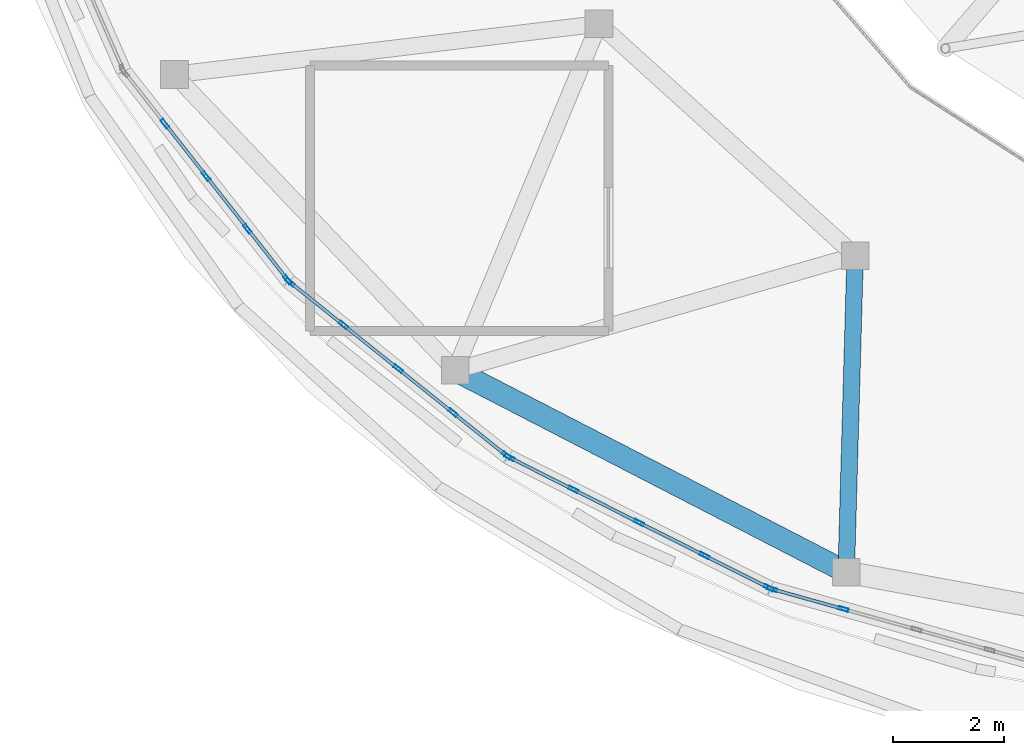
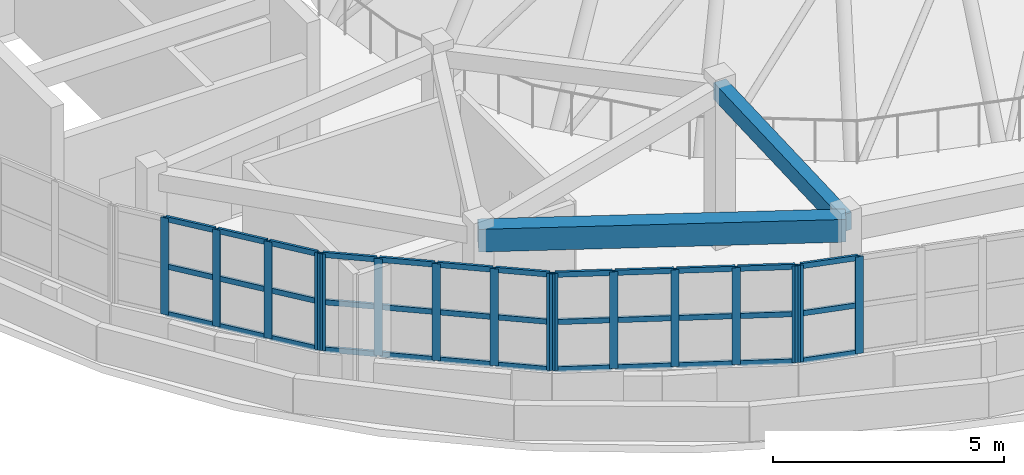
# One storey, part 2 of 38: 52 members, 2 beams, 4 elements without a shape of their own.
"""IFC4 building model written with IfcOpenShell, lengths in metres."""

from ifc_helpers import new_model, si_unit, direction, frame, origin, origin_2d, place, context, subcontext, project, spatial, rectangle, hollow_rectangle, extrude, material, layer, layer_set, material_profile, profile_set, type_object, element, aggregate, save


model = new_model("IFC4")

# Units and contexts
model_context = context("Model", 3, precision=1e-05, world=origin(), true_north=direction((0.0, 1.0)))
body_context = subcontext(model_context, "Body", "Model", "MODEL_VIEW")
ifc_project = project(units=[si_unit("LENGTHUNIT", "METRE"), si_unit("AREAUNIT", "SQUARE_METRE"), si_unit("VOLUMEUNIT", "CUBIC_METRE"), si_unit("PLANEANGLEUNIT", "RADIAN"), si_unit("MASSUNIT", "GRAM", prefix="KILO")], contexts=[model_context])

# Site, building, storey
site_placement = place(None, origin())
site = spatial("IfcSite", under=ifc_project, at=site_placement, CompositionType="ELEMENT")
building_placement = place(site_placement, origin())
building = spatial("IfcBuilding", under=site, at=building_placement, Name="Pelvatis Terrace Science Centre", CompositionType="ELEMENT")
storey_placement = place(building_placement, frame((0.0, 0.0, 24.300048828125)))
storey = spatial("IfcBuildingStorey", under=building, at=storey_placement, Name="L05", CompositionType="ELEMENT", Elevation=24.300048828125)

# Beams
ifc_material_1 = material(Name="Concrete C35/45", Category="concrete")
ifc_material_profile_1 = material_profile(ifc_material_1, rectangle(XDim=0.300048828125, YDim=0.449951171875, at=origin_2d()), Name="RC-BM 300x450")
ifc_profile_set_1 = profile_set([ifc_material_profile_1], Name="Concrete C35/45")
beam_type_1 = type_object("IfcBeamType", Name="BM-RC-300x450", PredefinedType="BEAM", material=ifc_profile_set_1)
beam_1_placement = place(storey_placement, frame((99.705078125, 67.434326171875, 4.034912109375), z_axis=(0.028165640532, 0.999603269649, 0.0), x_axis=(-0.999603269649, 0.028165640532, 0.0)))
element("IfcBeam", 1, at=beam_1_placement, inside=storey, type_object=beam_type_1, Name="Beam BM-L05-3137", PredefinedType="BEAM", context=body_context, shape_type="SweptSolid", body=[
    extrude(rectangle(XDim=0.300048828125, YDim=0.449951171875, at=origin_2d()), origin(), (0.0, 0.0, 1.0), 5.7294921875),
])
ifc_material_2 = material(Name="Concrete C35/45", Category="concrete")
ifc_material_profile_2 = material_profile(ifc_material_2, rectangle(XDim=0.39990234375, YDim=0.60009765625, at=origin_2d()), Name="RC-BM 400x600")
ifc_profile_set_2 = profile_set([ifc_material_profile_2], Name="Concrete C35/45")
beam_type_2 = type_object("IfcBeamType", Name="BM-RC-400x600", PredefinedType="BEAM", material=ifc_profile_set_2)
beam_2_placement = place(storey_placement, frame((92.62744140625, 71.0849609375, 3.9599609375), z_axis=(0.888740331854, -0.458410975585, 0.0), x_axis=(0.458410975585, 0.888740331854, 0.0)))
element("IfcBeam", 2, at=beam_2_placement, inside=storey, type_object=beam_type_2, Name="Beam BM-L05-3133", PredefinedType="BEAM", context=body_context, shape_type="SweptSolid", body=[
    extrude(rectangle(XDim=0.39990234375, YDim=0.60009765625, at=origin_2d()), origin(), (0.0, 0.0, 1.0), 7.963623046875),
])

# Curtain wall, members
ifc_material_3 = material(Name="Bronze-anodised aluminium and laminated glass", Category="aluminium")
ifc_layer = layer(ifc_material_3, 0.179931640625)
ifc_layer_set = layer_set([ifc_layer], Name="Bronze-anodised aluminium and laminated glass")
curtain_wall_type = type_object("IfcCurtainWallType", Name="CW-RIBBON-A", PredefinedType="NOTDEFINED", material=ifc_layer_set)
curtain_wall_1_placement = place(storey_placement, origin())
curtain_wall_1 = element("IfcCurtainWall", 3, at=curtain_wall_1_placement, inside=storey, type_object=curtain_wall_type, Name="Ribbon curtain wall CW-253 (L05)", PredefinedType="NOTDEFINED")
ifc_material_4 = material(Name="Bronze-anodised aluminium 6063-T6", Category="aluminium")
ifc_material_profile_3 = material_profile(ifc_material_4, hollow_rectangle(XDim=0.06005859375, YDim=0.179931640625, WallThickness=0.00390625, at=origin_2d()), Name="ALU-MUL 60x180")
ifc_profile_set_3 = profile_set([ifc_material_profile_3], Name="Bronze-anodised aluminium 6063-T6")
member_type_1 = type_object("IfcMemberType", Name="CWM-60x180", PredefinedType="MULLION", material=ifc_profile_set_3)
member_1_placement = place(storey_placement, frame((87.376708984375, 75.55029296875, 1.02001953125), z_axis=(0.0, 0.0, 1.0), x_axis=(0.786576740286, 0.617492535697, 0.0)))
member_1 = element("IfcMember", 4, at=member_1_placement, type_object=member_type_1, Name="CW-253 mullion 2", PredefinedType="MULLION", context=body_context, shape_type="SweptSolid", body=[
    extrude(hollow_rectangle(XDim=0.06005859375, YDim=0.179931640625, WallThickness=0.00390625, at=origin_2d()), origin(), (0.0, 0.0, 1.0), 2.559814453125),
])
member_2_placement = place(storey_placement, frame((88.122802734375, 74.599853515625, 1.02001953125), z_axis=(0.0, 0.0, 1.0), x_axis=(0.786576740286, 0.617492535697, 0.0)))
member_2 = element("IfcMember", 5, at=member_2_placement, type_object=member_type_1, Name="CW-253 mullion 3", PredefinedType="MULLION", context=body_context, shape_type="SweptSolid", body=[
    extrude(hollow_rectangle(XDim=0.06005859375, YDim=0.179931640625, WallThickness=0.00390625, at=origin_2d()), origin(), (0.0, 0.0, 1.0), 2.559814453125),
])
member_3_placement = place(storey_placement, frame((88.868896484375, 73.6494140625, 1.02001953125), z_axis=(0.0, 0.0, 1.0), x_axis=(0.786576740286, 0.617492535697, 0.0)))
member_3 = element("IfcMember", 6, at=member_3_placement, type_object=member_type_1, Name="CW-253 mullion 4", PredefinedType="MULLION", context=body_context, shape_type="SweptSolid", body=[
    extrude(hollow_rectangle(XDim=0.06005859375, YDim=0.179931640625, WallThickness=0.00390625, at=origin_2d()), origin(), (0.0, 0.0, 1.0), 2.559814453125),
])
member_4_placement = place(storey_placement, frame((89.5966796875, 72.72265625, 1.02001953125), z_axis=(0.0, 0.0, 1.0), x_axis=(0.786576740286, 0.617492535697, 0.0)))
member_4 = element("IfcMember", 7, at=member_4_placement, type_object=member_type_1, Name="CW-253 mullion 5", PredefinedType="MULLION", context=body_context, shape_type="SweptSolid", body=[
    extrude(hollow_rectangle(XDim=0.06005859375, YDim=0.179931640625, WallThickness=0.00390625, at=origin_2d()), origin(), (0.0, 0.0, 1.0), 2.559814453125),
])

curtain_wall_2_placement = place(storey_placement, origin())
curtain_wall_2 = element("IfcCurtainWall", 8, at=curtain_wall_2_placement, inside=storey, type_object=curtain_wall_type, Name="Ribbon curtain wall CW-254 (L05)", PredefinedType="NOTDEFINED")
member_5_placement = place(storey_placement, frame((89.638427734375, 72.68017578125, 1.02001953125), z_axis=(0.0, 0.0, 1.0), x_axis=(0.62487505806, 0.780724767005, 0.0)))
member_5 = element("IfcMember", 9, at=member_5_placement, type_object=member_type_1, Name="CW-254 mullion 1", PredefinedType="MULLION", context=body_context, shape_type="SweptSolid", body=[
    extrude(hollow_rectangle(XDim=0.06005859375, YDim=0.179931640625, WallThickness=0.00390625, at=origin_2d()), origin(), (0.0, 0.0, 1.0), 2.559814453125),
])
member_6_placement = place(storey_placement, frame((90.606689453125, 71.9052734375, 1.02001953125), z_axis=(0.0, 0.0, 1.0), x_axis=(0.62487505806, 0.780724767005, 0.0)))
member_6 = element("IfcMember", 10, at=member_6_placement, type_object=member_type_1, Name="CW-254 mullion 2", PredefinedType="MULLION", context=body_context, shape_type="SweptSolid", body=[
    extrude(hollow_rectangle(XDim=0.06005859375, YDim=0.179931640625, WallThickness=0.00390625, at=origin_2d()), origin(), (0.0, 0.0, 1.0), 2.559814453125),
])
member_7_placement = place(storey_placement, frame((91.598388671875, 71.111572265625, 1.02001953125), z_axis=(0.0, 0.0, 1.0), x_axis=(0.62487505806, 0.780724767005, 0.0)))
member_7 = element("IfcMember", 11, at=member_7_placement, type_object=member_type_1, Name="CW-254 mullion 3", PredefinedType="MULLION", context=body_context, shape_type="SweptSolid", body=[
    extrude(hollow_rectangle(XDim=0.06005859375, YDim=0.179931640625, WallThickness=0.00390625, at=origin_2d()), origin(), (0.0, 0.0, 1.0), 2.559814453125),
])
member_8_placement = place(storey_placement, frame((92.590087890625, 70.31787109375, 1.02001953125), z_axis=(0.0, 0.0, 1.0), x_axis=(0.62487505806, 0.780724767005, 0.0)))
member_8 = element("IfcMember", 12, at=member_8_placement, type_object=member_type_1, Name="CW-254 mullion 4", PredefinedType="MULLION", context=body_context, shape_type="SweptSolid", body=[
    extrude(hollow_rectangle(XDim=0.06005859375, YDim=0.179931640625, WallThickness=0.00390625, at=origin_2d()), origin(), (0.0, 0.0, 1.0), 2.559814453125),
])
member_9_placement = place(storey_placement, frame((93.55810546875, 69.54296875, 1.02001953125), z_axis=(0.0, 0.0, 1.0), x_axis=(0.62487505806, 0.780724767005, 0.0)))
member_9 = element("IfcMember", 13, at=member_9_placement, type_object=member_type_1, Name="CW-254 mullion 5", PredefinedType="MULLION", context=body_context, shape_type="SweptSolid", body=[
    extrude(hollow_rectangle(XDim=0.06005859375, YDim=0.179931640625, WallThickness=0.00390625, at=origin_2d()), origin(), (0.0, 0.0, 1.0), 2.559814453125),
])

curtain_wall_3_placement = place(storey_placement, origin())
curtain_wall_3 = element("IfcCurtainWall", 14, at=curtain_wall_3_placement, inside=storey, type_object=curtain_wall_type, Name="Ribbon curtain wall CW-255 (L05)", PredefinedType="NOTDEFINED")
member_10_placement = place(storey_placement, frame((93.6083984375, 69.5107421875, 1.02001953125), z_axis=(0.0, 0.0, 1.0), x_axis=(0.449303995918, 0.893378933741, 0.0)))
member_10 = element("IfcMember", 15, at=member_10_placement, type_object=member_type_1, Name="CW-255 mullion 1", PredefinedType="MULLION", context=body_context, shape_type="SweptSolid", body=[
    extrude(hollow_rectangle(XDim=0.06005859375, YDim=0.179931640625, WallThickness=0.00390625, at=origin_2d()), origin(), (0.0, 0.0, 1.0), 2.559814453125),
])
member_11_placement = place(storey_placement, frame((94.76904296875, 68.92724609375, 1.02001953125), z_axis=(0.0, 0.0, 1.0), x_axis=(0.449303995918, 0.893378933741, 0.0)))
member_11 = element("IfcMember", 16, at=member_11_placement, type_object=member_type_1, Name="CW-255 mullion 2", PredefinedType="MULLION", context=body_context, shape_type="SweptSolid", body=[
    extrude(hollow_rectangle(XDim=0.06005859375, YDim=0.179931640625, WallThickness=0.00390625, at=origin_2d()), origin(), (0.0, 0.0, 1.0), 2.559814453125),
])
member_12_placement = place(storey_placement, frame((95.956298828125, 68.329833984375, 1.02001953125), z_axis=(0.0, 0.0, 1.0), x_axis=(0.449303995918, 0.893378933741, 0.0)))
member_12 = element("IfcMember", 17, at=member_12_placement, type_object=member_type_1, Name="CW-255 mullion 3", PredefinedType="MULLION", context=body_context, shape_type="SweptSolid", body=[
    extrude(hollow_rectangle(XDim=0.06005859375, YDim=0.179931640625, WallThickness=0.00390625, at=origin_2d()), origin(), (0.0, 0.0, 1.0), 2.559814453125),
])
member_13_placement = place(storey_placement, frame((97.143798828125, 67.732666015625, 1.02001953125), z_axis=(0.0, 0.0, 1.0), x_axis=(0.449303995918, 0.893378933741, 0.0)))
member_13 = element("IfcMember", 18, at=member_13_placement, type_object=member_type_1, Name="CW-255 mullion 4", PredefinedType="MULLION", context=body_context, shape_type="SweptSolid", body=[
    extrude(hollow_rectangle(XDim=0.06005859375, YDim=0.179931640625, WallThickness=0.00390625, at=origin_2d()), origin(), (0.0, 0.0, 1.0), 2.559814453125),
])
member_14_placement = place(storey_placement, frame((98.304443359375, 67.149169921875, 1.02001953125), z_axis=(0.0, 0.0, 1.0), x_axis=(0.449303995918, 0.893378933741, 0.0)))
member_14 = element("IfcMember", 19, at=member_14_placement, type_object=member_type_1, Name="CW-255 mullion 5", PredefinedType="MULLION", context=body_context, shape_type="SweptSolid", body=[
    extrude(hollow_rectangle(XDim=0.06005859375, YDim=0.179931640625, WallThickness=0.00390625, at=origin_2d()), origin(), (0.0, 0.0, 1.0), 2.559814453125),
])

curtain_wall_4_placement = place(storey_placement, origin())
curtain_wall_4 = element("IfcCurtainWall", 20, at=curtain_wall_4_placement, inside=storey, type_object=curtain_wall_type, Name="Ribbon curtain wall CW-256 (L05)", PredefinedType="NOTDEFINED")
member_15_placement = place(storey_placement, frame((98.360107421875, 67.12744140625, 1.02001953125), z_axis=(0.0, 0.0, 1.0), x_axis=(0.269694685663, 0.962945884526, 0.0)))
member_15 = element("IfcMember", 21, at=member_15_placement, type_object=member_type_1, Name="CW-256 mullion 1", PredefinedType="MULLION", context=body_context, shape_type="SweptSolid", body=[
    extrude(hollow_rectangle(XDim=0.06005859375, YDim=0.179931640625, WallThickness=0.00390625, at=origin_2d()), origin(), (0.0, 0.0, 1.0), 2.559814453125),
])
member_16_placement = place(storey_placement, frame((99.65478515625, 66.764892578125, 1.02001953125), z_axis=(0.0, 0.0, 1.0), x_axis=(0.269694685663, 0.962945884526, 0.0)))
member_16 = element("IfcMember", 22, at=member_16_placement, type_object=member_type_1, Name="CW-256 mullion 2", PredefinedType="MULLION", context=body_context, shape_type="SweptSolid", body=[
    extrude(hollow_rectangle(XDim=0.06005859375, YDim=0.179931640625, WallThickness=0.00390625, at=origin_2d()), origin(), (0.0, 0.0, 1.0), 2.559814453125),
])

# Member
ifc_material_5 = material(Name="Bronze-anodised aluminium 6063-T6", Category="aluminium")
ifc_material_profile_4 = material_profile(ifc_material_5, hollow_rectangle(XDim=0.06005859375, YDim=0.139892578125, WallThickness=0.00390625, at=origin_2d()), Name="ALU-TRN 60x140")
ifc_profile_set_4 = profile_set([ifc_material_profile_4], Name="Bronze-anodised aluminium 6063-T6")
member_type_2 = type_object("IfcMemberType", Name="CWT-60x140", PredefinedType="USERDEFINED", material=ifc_profile_set_4)
member_17_placement = place(storey_placement, frame((87.395263671875, 75.526611328125, 1.050048828125), z_axis=(0.617539862862, -0.786539584367, 0.0), x_axis=(0.786539584367, 0.617539862862, 0.0)))
member_17 = element("IfcMember", 23, at=member_17_placement, type_object=member_type_2, Name="CW-253 transom 2.1", ObjectType="TRANSOM", PredefinedType="USERDEFINED", context=body_context, shape_type="SweptSolid", body=[
    extrude(hollow_rectangle(XDim=0.06005859375, YDim=0.139892578125, WallThickness=0.00390625, at=origin_2d()), origin(), (0.0, 0.0, 1.0), 1.1484375),
])

member_18_placement = place(storey_placement, frame((87.395263671875, 75.526611328125, 2.300048828125), z_axis=(0.617539862862, -0.786539584367, 0.0), x_axis=(0.786539584367, 0.617539862862, 0.0)))
member_18 = element("IfcMember", 24, at=member_18_placement, type_object=member_type_2, Name="CW-253 transom 2.2", ObjectType="TRANSOM", PredefinedType="USERDEFINED", context=body_context, shape_type="SweptSolid", body=[
    extrude(hollow_rectangle(XDim=0.06005859375, YDim=0.139892578125, WallThickness=0.00390625, at=origin_2d()), origin(), (0.0, 0.0, 1.0), 1.1484375),
])

member_19_placement = place(storey_placement, frame((87.395263671875, 75.526611328125, 3.550048828125), z_axis=(0.617539862862, -0.786539584367, 0.0), x_axis=(0.786539584367, 0.617539862862, 0.0)))
member_19 = element("IfcMember", 25, at=member_19_placement, type_object=member_type_2, Name="CW-253 transom 2.3", ObjectType="TRANSOM", PredefinedType="USERDEFINED", context=body_context, shape_type="SweptSolid", body=[
    extrude(hollow_rectangle(XDim=0.06005859375, YDim=0.139892578125, WallThickness=0.00390625, at=origin_2d()), origin(), (0.0, 0.0, 1.0), 1.1484375),
])

member_20_placement = place(storey_placement, frame((88.141357421875, 74.576171875, 1.050048828125), z_axis=(0.617643128224, -0.786458496145, 0.0), x_axis=(0.786458496145, 0.617643128224, 0.0)))
member_20 = element("IfcMember", 26, at=member_20_placement, type_object=member_type_2, Name="CW-253 transom 3.1", ObjectType="TRANSOM", PredefinedType="USERDEFINED", context=body_context, shape_type="SweptSolid", body=[
    extrude(hollow_rectangle(XDim=0.06005859375, YDim=0.139892578125, WallThickness=0.00390625, at=origin_2d()), origin(), (0.0, 0.0, 1.0), 1.148193359375),
])

member_21_placement = place(storey_placement, frame((88.141357421875, 74.576171875, 2.300048828125), z_axis=(0.617643128224, -0.786458496145, 0.0), x_axis=(0.786458496145, 0.617643128224, 0.0)))
member_21 = element("IfcMember", 27, at=member_21_placement, type_object=member_type_2, Name="CW-253 transom 3.2", ObjectType="TRANSOM", PredefinedType="USERDEFINED", context=body_context, shape_type="SweptSolid", body=[
    extrude(hollow_rectangle(XDim=0.06005859375, YDim=0.139892578125, WallThickness=0.00390625, at=origin_2d()), origin(), (0.0, 0.0, 1.0), 1.148193359375),
])

member_22_placement = place(storey_placement, frame((88.141357421875, 74.576171875, 3.550048828125), z_axis=(0.617643128224, -0.786458496145, 0.0), x_axis=(0.786458496145, 0.617643128224, 0.0)))
member_22 = element("IfcMember", 28, at=member_22_placement, type_object=member_type_2, Name="CW-253 transom 3.3", ObjectType="TRANSOM", PredefinedType="USERDEFINED", context=body_context, shape_type="SweptSolid", body=[
    extrude(hollow_rectangle(XDim=0.06005859375, YDim=0.139892578125, WallThickness=0.00390625, at=origin_2d()), origin(), (0.0, 0.0, 1.0), 1.148193359375),
])

member_23_placement = place(storey_placement, frame((88.887451171875, 73.625732421875, 1.050048828125), z_axis=(0.617561214822, -0.786522819725, 0.0), x_axis=(0.786522819725, 0.617561214822, 0.0)))
member_23 = element("IfcMember", 29, at=member_23_placement, type_object=member_type_2, Name="CW-253 transom 4.1", ObjectType="TRANSOM", PredefinedType="USERDEFINED", context=body_context, shape_type="SweptSolid", body=[
    extrude(hollow_rectangle(XDim=0.06005859375, YDim=0.139892578125, WallThickness=0.00390625, at=origin_2d()), origin(), (0.0, 0.0, 1.0), 1.118408203125),
])

member_24_placement = place(storey_placement, frame((88.887451171875, 73.625732421875, 2.300048828125), z_axis=(0.617561214822, -0.786522819725, 0.0), x_axis=(0.786522819725, 0.617561214822, 0.0)))
member_24 = element("IfcMember", 30, at=member_24_placement, type_object=member_type_2, Name="CW-253 transom 4.2", ObjectType="TRANSOM", PredefinedType="USERDEFINED", context=body_context, shape_type="SweptSolid", body=[
    extrude(hollow_rectangle(XDim=0.06005859375, YDim=0.139892578125, WallThickness=0.00390625, at=origin_2d()), origin(), (0.0, 0.0, 1.0), 1.118408203125),
])

member_25_placement = place(storey_placement, frame((88.887451171875, 73.625732421875, 3.550048828125), z_axis=(0.617561214822, -0.786522819725, 0.0), x_axis=(0.786522819725, 0.617561214822, 0.0)))
member_25 = element("IfcMember", 31, at=member_25_placement, type_object=member_type_2, Name="CW-253 transom 4.3", ObjectType="TRANSOM", PredefinedType="USERDEFINED", context=body_context, shape_type="SweptSolid", body=[
    extrude(hollow_rectangle(XDim=0.06005859375, YDim=0.139892578125, WallThickness=0.00390625, at=origin_2d()), origin(), (0.0, 0.0, 1.0), 1.118408203125),
])

aggregate(curtain_wall_1, [member_1, member_2, member_3, member_4, member_17, member_18, member_19, member_20, member_21, member_22, member_23, member_24, member_25])

member_26_placement = place(storey_placement, frame((89.661865234375, 72.66162109375, 1.050048828125), z_axis=(0.780687143847, -0.624922061887, 0.0), x_axis=(0.624922061887, 0.780687143847, 0.0)))
member_26 = element("IfcMember", 32, at=member_26_placement, type_object=member_type_2, Name="CW-254 transom 1.1", ObjectType="TRANSOM", PredefinedType="USERDEFINED", context=body_context, shape_type="SweptSolid", body=[
    extrude(hollow_rectangle(XDim=0.06005859375, YDim=0.139892578125, WallThickness=0.00390625, at=origin_2d()), origin(), (0.0, 0.0, 1.0), 1.18017578125),
])

member_27_placement = place(storey_placement, frame((89.661865234375, 72.66162109375, 2.300048828125), z_axis=(0.780687143847, -0.624922061887, 0.0), x_axis=(0.624922061887, 0.780687143847, 0.0)))
member_27 = element("IfcMember", 33, at=member_27_placement, type_object=member_type_2, Name="CW-254 transom 1.2", ObjectType="TRANSOM", PredefinedType="USERDEFINED", context=body_context, shape_type="SweptSolid", body=[
    extrude(hollow_rectangle(XDim=0.06005859375, YDim=0.139892578125, WallThickness=0.00390625, at=origin_2d()), origin(), (0.0, 0.0, 1.0), 1.18017578125),
])

member_28_placement = place(storey_placement, frame((89.661865234375, 72.66162109375, 3.550048828125), z_axis=(0.780687143847, -0.624922061887, 0.0), x_axis=(0.624922061887, 0.780687143847, 0.0)))
member_28 = element("IfcMember", 34, at=member_28_placement, type_object=member_type_2, Name="CW-254 transom 1.3", ObjectType="TRANSOM", PredefinedType="USERDEFINED", context=body_context, shape_type="SweptSolid", body=[
    extrude(hollow_rectangle(XDim=0.06005859375, YDim=0.139892578125, WallThickness=0.00390625, at=origin_2d()), origin(), (0.0, 0.0, 1.0), 1.18017578125),
])

member_29_placement = place(storey_placement, frame((90.630126953125, 71.886474609375, 1.050048828125), z_axis=(0.780770385385, -0.624818057762, 0.0), x_axis=(0.624818057762, 0.780770385385, 0.0)))
member_29 = element("IfcMember", 35, at=member_29_placement, type_object=member_type_2, Name="CW-254 transom 2.1", ObjectType="TRANSOM", PredefinedType="USERDEFINED", context=body_context, shape_type="SweptSolid", body=[
    extrude(hollow_rectangle(XDim=0.06005859375, YDim=0.139892578125, WallThickness=0.00390625, at=origin_2d()), origin(), (0.0, 0.0, 1.0), 1.210205078125),
])

member_30_placement = place(storey_placement, frame((90.630126953125, 71.886474609375, 2.300048828125), z_axis=(0.780770385385, -0.624818057762, 0.0), x_axis=(0.624818057762, 0.780770385385, 0.0)))
member_30 = element("IfcMember", 36, at=member_30_placement, type_object=member_type_2, Name="CW-254 transom 2.2", ObjectType="TRANSOM", PredefinedType="USERDEFINED", context=body_context, shape_type="SweptSolid", body=[
    extrude(hollow_rectangle(XDim=0.06005859375, YDim=0.139892578125, WallThickness=0.00390625, at=origin_2d()), origin(), (0.0, 0.0, 1.0), 1.210205078125),
])

member_31_placement = place(storey_placement, frame((90.630126953125, 71.886474609375, 3.550048828125), z_axis=(0.780770385385, -0.624818057762, 0.0), x_axis=(0.624818057762, 0.780770385385, 0.0)))
member_31 = element("IfcMember", 37, at=member_31_placement, type_object=member_type_2, Name="CW-254 transom 2.3", ObjectType="TRANSOM", PredefinedType="USERDEFINED", context=body_context, shape_type="SweptSolid", body=[
    extrude(hollow_rectangle(XDim=0.06005859375, YDim=0.139892578125, WallThickness=0.00390625, at=origin_2d()), origin(), (0.0, 0.0, 1.0), 1.210205078125),
])

member_32_placement = place(storey_placement, frame((91.621826171875, 71.093017578125, 1.050048828125), z_axis=(0.780671966768, -0.624941021459, 0.0), x_axis=(0.624941021459, 0.780671966768, 0.0)))
member_32 = element("IfcMember", 38, at=member_32_placement, type_object=member_type_2, Name="CW-254 transom 3.1", ObjectType="TRANSOM", PredefinedType="USERDEFINED", context=body_context, shape_type="SweptSolid", body=[
    extrude(hollow_rectangle(XDim=0.06005859375, YDim=0.139892578125, WallThickness=0.00390625, at=origin_2d()), origin(), (0.0, 0.0, 1.0), 1.210205078125),
])

member_33_placement = place(storey_placement, frame((91.621826171875, 71.093017578125, 2.300048828125), z_axis=(0.780671966768, -0.624941021459, 0.0), x_axis=(0.624941021459, 0.780671966768, 0.0)))
member_33 = element("IfcMember", 39, at=member_33_placement, type_object=member_type_2, Name="CW-254 transom 3.2", ObjectType="TRANSOM", PredefinedType="USERDEFINED", context=body_context, shape_type="SweptSolid", body=[
    extrude(hollow_rectangle(XDim=0.06005859375, YDim=0.139892578125, WallThickness=0.00390625, at=origin_2d()), origin(), (0.0, 0.0, 1.0), 1.210205078125),
])

member_34_placement = place(storey_placement, frame((91.621826171875, 71.093017578125, 3.550048828125), z_axis=(0.780671966768, -0.624941021459, 0.0), x_axis=(0.624941021459, 0.780671966768, 0.0)))
member_34 = element("IfcMember", 40, at=member_34_placement, type_object=member_type_2, Name="CW-254 transom 3.3", ObjectType="TRANSOM", PredefinedType="USERDEFINED", context=body_context, shape_type="SweptSolid", body=[
    extrude(hollow_rectangle(XDim=0.06005859375, YDim=0.139892578125, WallThickness=0.00390625, at=origin_2d()), origin(), (0.0, 0.0, 1.0), 1.210205078125),
])

member_35_placement = place(storey_placement, frame((92.61328125, 70.29931640625, 1.050048828125), z_axis=(0.780687143847, -0.624922061887, 0.0), x_axis=(0.624922061887, 0.780687143847, 0.0)))
member_35 = element("IfcMember", 41, at=member_35_placement, type_object=member_type_2, Name="CW-254 transom 4.1", ObjectType="TRANSOM", PredefinedType="USERDEFINED", context=body_context, shape_type="SweptSolid", body=[
    extrude(hollow_rectangle(XDim=0.06005859375, YDim=0.139892578125, WallThickness=0.00390625, at=origin_2d()), origin(), (0.0, 0.0, 1.0), 1.18017578125),
])

member_36_placement = place(storey_placement, frame((92.61328125, 70.29931640625, 2.300048828125), z_axis=(0.780687143847, -0.624922061887, 0.0), x_axis=(0.624922061887, 0.780687143847, 0.0)))
member_36 = element("IfcMember", 42, at=member_36_placement, type_object=member_type_2, Name="CW-254 transom 4.2", ObjectType="TRANSOM", PredefinedType="USERDEFINED", context=body_context, shape_type="SweptSolid", body=[
    extrude(hollow_rectangle(XDim=0.06005859375, YDim=0.139892578125, WallThickness=0.00390625, at=origin_2d()), origin(), (0.0, 0.0, 1.0), 1.18017578125),
])

member_37_placement = place(storey_placement, frame((92.61328125, 70.29931640625, 3.550048828125), z_axis=(0.780687143847, -0.624922061887, 0.0), x_axis=(0.624922061887, 0.780687143847, 0.0)))
member_37 = element("IfcMember", 43, at=member_37_placement, type_object=member_type_2, Name="CW-254 transom 4.3", ObjectType="TRANSOM", PredefinedType="USERDEFINED", context=body_context, shape_type="SweptSolid", body=[
    extrude(hollow_rectangle(XDim=0.06005859375, YDim=0.139892578125, WallThickness=0.00390625, at=origin_2d()), origin(), (0.0, 0.0, 1.0), 1.18017578125),
])

aggregate(curtain_wall_2, [member_5, member_6, member_7, member_8, member_9, member_26, member_27, member_28, member_29, member_30, member_31, member_32, member_33, member_34, member_35, member_36, member_37])

member_38_placement = place(storey_placement, frame((93.63525390625, 69.497314453125, 1.050048828125), z_axis=(0.893400211501, -0.449261685536, 0.0), x_axis=(0.449261685536, 0.893400211501, 0.0)))
member_38 = element("IfcMember", 44, at=member_38_placement, type_object=member_type_2, Name="CW-255 transom 1.1", ObjectType="TRANSOM", PredefinedType="USERDEFINED", context=body_context, shape_type="SweptSolid", body=[
    extrude(hollow_rectangle(XDim=0.06005859375, YDim=0.139892578125, WallThickness=0.00390625, at=origin_2d()), origin(), (0.0, 0.0, 1.0), 1.239013671875),
])

member_39_placement = place(storey_placement, frame((93.63525390625, 69.497314453125, 2.300048828125), z_axis=(0.893400211501, -0.449261685536, 0.0), x_axis=(0.449261685536, 0.893400211501, 0.0)))
member_39 = element("IfcMember", 45, at=member_39_placement, type_object=member_type_2, Name="CW-255 transom 1.2", ObjectType="TRANSOM", PredefinedType="USERDEFINED", context=body_context, shape_type="SweptSolid", body=[
    extrude(hollow_rectangle(XDim=0.06005859375, YDim=0.139892578125, WallThickness=0.00390625, at=origin_2d()), origin(), (0.0, 0.0, 1.0), 1.239013671875),
])

member_40_placement = place(storey_placement, frame((93.63525390625, 69.497314453125, 3.550048828125), z_axis=(0.893400211501, -0.449261685536, 0.0), x_axis=(0.449261685536, 0.893400211501, 0.0)))
member_40 = element("IfcMember", 46, at=member_40_placement, type_object=member_type_2, Name="CW-255 transom 1.3", ObjectType="TRANSOM", PredefinedType="USERDEFINED", context=body_context, shape_type="SweptSolid", body=[
    extrude(hollow_rectangle(XDim=0.06005859375, YDim=0.139892578125, WallThickness=0.00390625, at=origin_2d()), origin(), (0.0, 0.0, 1.0), 1.239013671875),
])

member_41_placement = place(storey_placement, frame((94.7958984375, 68.91357421875, 1.050048828125), z_axis=(0.893424563926, -0.449213255118, 0.0), x_axis=(0.449213255118, 0.893424563926, 0.0)))
member_41 = element("IfcMember", 47, at=member_41_placement, type_object=member_type_2, Name="CW-255 transom 2.1", ObjectType="TRANSOM", PredefinedType="USERDEFINED", context=body_context, shape_type="SweptSolid", body=[
    extrude(hollow_rectangle(XDim=0.06005859375, YDim=0.139892578125, WallThickness=0.00390625, at=origin_2d()), origin(), (0.0, 0.0, 1.0), 1.26904296875),
])

member_42_placement = place(storey_placement, frame((94.7958984375, 68.91357421875, 2.300048828125), z_axis=(0.893424563926, -0.449213255118, 0.0), x_axis=(0.449213255118, 0.893424563926, 0.0)))
member_42 = element("IfcMember", 48, at=member_42_placement, type_object=member_type_2, Name="CW-255 transom 2.2", ObjectType="TRANSOM", PredefinedType="USERDEFINED", context=body_context, shape_type="SweptSolid", body=[
    extrude(hollow_rectangle(XDim=0.06005859375, YDim=0.139892578125, WallThickness=0.00390625, at=origin_2d()), origin(), (0.0, 0.0, 1.0), 1.26904296875),
])

member_43_placement = place(storey_placement, frame((94.7958984375, 68.91357421875, 3.550048828125), z_axis=(0.893424563926, -0.449213255118, 0.0), x_axis=(0.449213255118, 0.893424563926, 0.0)))
member_43 = element("IfcMember", 49, at=member_43_placement, type_object=member_type_2, Name="CW-255 transom 2.3", ObjectType="TRANSOM", PredefinedType="USERDEFINED", context=body_context, shape_type="SweptSolid", body=[
    extrude(hollow_rectangle(XDim=0.06005859375, YDim=0.139892578125, WallThickness=0.00390625, at=origin_2d()), origin(), (0.0, 0.0, 1.0), 1.26904296875),
])

member_44_placement = place(storey_placement, frame((95.983154296875, 68.31640625, 1.050048828125), z_axis=(0.893424563926, -0.449213255118, 0.0), x_axis=(0.449213255118, 0.893424563926, 0.0)))
member_44 = element("IfcMember", 50, at=member_44_placement, type_object=member_type_2, Name="CW-255 transom 3.1", ObjectType="TRANSOM", PredefinedType="USERDEFINED", context=body_context, shape_type="SweptSolid", body=[
    extrude(hollow_rectangle(XDim=0.06005859375, YDim=0.139892578125, WallThickness=0.00390625, at=origin_2d()), origin(), (0.0, 0.0, 1.0), 1.26904296875),
])

member_45_placement = place(storey_placement, frame((95.983154296875, 68.31640625, 2.300048828125), z_axis=(0.893424563926, -0.449213255118, 0.0), x_axis=(0.449213255118, 0.893424563926, 0.0)))
member_45 = element("IfcMember", 51, at=member_45_placement, type_object=member_type_2, Name="CW-255 transom 3.2", ObjectType="TRANSOM", PredefinedType="USERDEFINED", context=body_context, shape_type="SweptSolid", body=[
    extrude(hollow_rectangle(XDim=0.06005859375, YDim=0.139892578125, WallThickness=0.00390625, at=origin_2d()), origin(), (0.0, 0.0, 1.0), 1.26904296875),
])

member_46_placement = place(storey_placement, frame((95.983154296875, 68.31640625, 3.550048828125), z_axis=(0.893424563926, -0.449213255118, 0.0), x_axis=(0.449213255118, 0.893424563926, 0.0)))
member_46 = element("IfcMember", 52, at=member_46_placement, type_object=member_type_2, Name="CW-255 transom 3.3", ObjectType="TRANSOM", PredefinedType="USERDEFINED", context=body_context, shape_type="SweptSolid", body=[
    extrude(hollow_rectangle(XDim=0.06005859375, YDim=0.139892578125, WallThickness=0.00390625, at=origin_2d()), origin(), (0.0, 0.0, 1.0), 1.26904296875),
])

member_47_placement = place(storey_placement, frame((97.170654296875, 67.71923828125, 1.050048828125), z_axis=(0.893400211501, -0.449261685536, 0.0), x_axis=(0.449261685536, 0.893400211501, 0.0)))
member_47 = element("IfcMember", 53, at=member_47_placement, type_object=member_type_2, Name="CW-255 transom 4.1", ObjectType="TRANSOM", PredefinedType="USERDEFINED", context=body_context, shape_type="SweptSolid", body=[
    extrude(hollow_rectangle(XDim=0.06005859375, YDim=0.139892578125, WallThickness=0.00390625, at=origin_2d()), origin(), (0.0, 0.0, 1.0), 1.239013671875),
])

member_48_placement = place(storey_placement, frame((97.170654296875, 67.71923828125, 2.300048828125), z_axis=(0.893400211501, -0.449261685536, 0.0), x_axis=(0.449261685536, 0.893400211501, 0.0)))
member_48 = element("IfcMember", 54, at=member_48_placement, type_object=member_type_2, Name="CW-255 transom 4.2", ObjectType="TRANSOM", PredefinedType="USERDEFINED", context=body_context, shape_type="SweptSolid", body=[
    extrude(hollow_rectangle(XDim=0.06005859375, YDim=0.139892578125, WallThickness=0.00390625, at=origin_2d()), origin(), (0.0, 0.0, 1.0), 1.239013671875),
])

member_49_placement = place(storey_placement, frame((97.170654296875, 67.71923828125, 3.550048828125), z_axis=(0.893400211501, -0.449261685536, 0.0), x_axis=(0.449261685536, 0.893400211501, 0.0)))
member_49 = element("IfcMember", 55, at=member_49_placement, type_object=member_type_2, Name="CW-255 transom 4.3", ObjectType="TRANSOM", PredefinedType="USERDEFINED", context=body_context, shape_type="SweptSolid", body=[
    extrude(hollow_rectangle(XDim=0.06005859375, YDim=0.139892578125, WallThickness=0.00390625, at=origin_2d()), origin(), (0.0, 0.0, 1.0), 1.239013671875),
])

aggregate(curtain_wall_3, [member_10, member_11, member_12, member_13, member_14, member_38, member_39, member_40, member_41, member_42, member_43, member_44, member_45, member_46, member_47, member_48, member_49])

member_50_placement = place(storey_placement, frame((98.388916015625, 67.119384765625, 1.050048828125), z_axis=(0.96295217629, -0.269672219885, 0.0), x_axis=(0.269672219885, 0.96295217629, 0.0)))
member_50 = element("IfcMember", 56, at=member_50_placement, type_object=member_type_2, Name="CW-256 transom 1.1", ObjectType="TRANSOM", PredefinedType="USERDEFINED", context=body_context, shape_type="SweptSolid", body=[
    extrude(hollow_rectangle(XDim=0.06005859375, YDim=0.139892578125, WallThickness=0.00390625, at=origin_2d()), origin(), (0.0, 0.0, 1.0), 1.28466796875),
])

member_51_placement = place(storey_placement, frame((98.388916015625, 67.119384765625, 2.300048828125), z_axis=(0.96295217629, -0.269672219885, 0.0), x_axis=(0.269672219885, 0.96295217629, 0.0)))
member_51 = element("IfcMember", 57, at=member_51_placement, type_object=member_type_2, Name="CW-256 transom 1.2", ObjectType="TRANSOM", PredefinedType="USERDEFINED", context=body_context, shape_type="SweptSolid", body=[
    extrude(hollow_rectangle(XDim=0.06005859375, YDim=0.139892578125, WallThickness=0.00390625, at=origin_2d()), origin(), (0.0, 0.0, 1.0), 1.28466796875),
])

member_52_placement = place(storey_placement, frame((98.388916015625, 67.119384765625, 3.550048828125), z_axis=(0.96295217629, -0.269672219885, 0.0), x_axis=(0.269672219885, 0.96295217629, 0.0)))
member_52 = element("IfcMember", 58, at=member_52_placement, type_object=member_type_2, Name="CW-256 transom 1.3", ObjectType="TRANSOM", PredefinedType="USERDEFINED", context=body_context, shape_type="SweptSolid", body=[
    extrude(hollow_rectangle(XDim=0.06005859375, YDim=0.139892578125, WallThickness=0.00390625, at=origin_2d()), origin(), (0.0, 0.0, 1.0), 1.28466796875),
])

aggregate(curtain_wall_4, [member_15, member_16, member_50, member_51, member_52])

save(model, "model.ifc")
